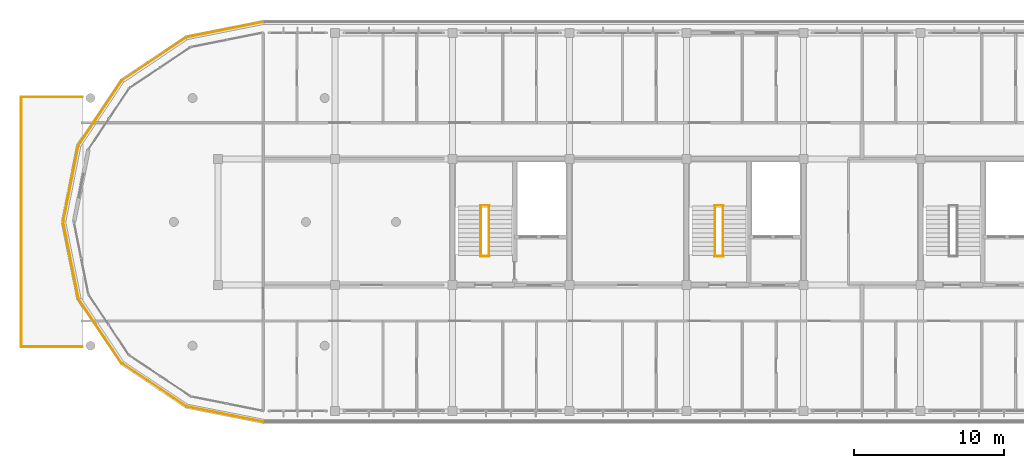
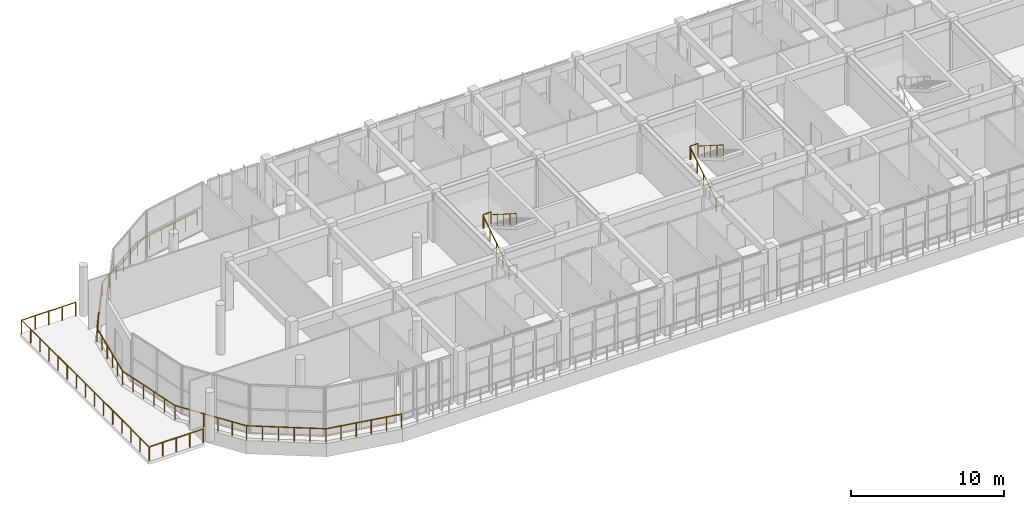
# One storey, part 52 of 56: 19 railings.
"""IFC4 building model written with IfcOpenShell, lengths in metres."""

import ifcopenshell
import ifcopenshell.guid

model = None  # the IFC model being written
_history = None  # IfcOwnerHistory: only IFC2X3 demands one
_inside = {}  # id of a spatial element -> (the spatial element, [elements in it])
_under = {}  # id of a project, library or spatial element -> (it, [spatial elements below it])
_declared = {}  # id of a project -> (the project, [libraries it declares])
_typed = {}  # id of a type object -> (the type object, [elements of that type])
_made_of = {}  # id of a material, layer set ... -> (it, [elements and type objects made of it])


def new_model(schema):
    """Start an empty IFC model of exactly this schema.

    Asked for "IFC4X3", IfcOpenShell would pick the latest addendum, in which some entities
    have other attributes; the version numbers below select the first issue.
    IFC2X3 requires an IfcOwnerHistory on every rooted entity: one is made here for all.
    """
    global model, _history
    if schema == "IFC4X3":
        model = ifcopenshell.file(schema_version=(4, 3, 0, 0))
    else:
        model = ifcopenshell.file(schema=schema)
    _inside.clear()
    _under.clear()
    _declared.clear()
    _typed.clear()
    _made_of.clear()
    _history = None
    if model.schema == "IFC2X3":
        org = make("IfcOrganization", Name="unknown")
        user = make(
            "IfcPersonAndOrganization",
            ThePerson=make("IfcPerson", FamilyName="unknown"),
            TheOrganization=org,
        )
        app = make(
            "IfcApplication",
            ApplicationDeveloper=org,
            Version="unknown",
            ApplicationFullName="unknown",
            ApplicationIdentifier="unknown",
        )
        _history = make(
            "IfcOwnerHistory",
            OwningUser=user,
            OwningApplication=app,
            ChangeAction="ADDED",
            CreationDate=0,
        )
    return model


def make(cls, **values):
    """One entity of the class cls with the attributes given. An attribute that is None is left unset."""
    return model.create_entity(
        cls, **{name: value for name, value in values.items() if value is not None}
    )


def rooted(cls, **values):
    """An entity with a GlobalId (a new one), such as an element, a storey or a relation."""
    return make(cls, GlobalId=ifcopenshell.guid.new(), OwnerHistory=_history, **values)


def si_unit(unit_type, name, prefix=None):
    """IfcSIUnit, for example si_unit("LENGTHUNIT", "METRE", prefix="MILLI")."""
    return make("IfcSIUnit", UnitType=unit_type, Prefix=prefix, Name=name)


def assignment(units):
    """IfcUnitAssignment: the units of a project."""
    return None if units is None else make("IfcUnitAssignment", Units=units)


def point(xyz):
    """IfcCartesianPoint."""
    return None if xyz is None else make("IfcCartesianPoint", Coordinates=xyz)


def direction(xyz):
    """IfcDirection."""
    return None if xyz is None else make("IfcDirection", DirectionRatios=xyz)


def frame(location, z_axis=None, x_axis=None):
    """IfcAxis2Placement3D, a coordinate frame: its origin and axes. An axis left out is left unset."""
    return make(
        "IfcAxis2Placement3D",
        Location=point(location),
        Axis=direction(z_axis),
        RefDirection=direction(x_axis),
    )


def frame_2d(location, x_axis=None):
    """IfcAxis2Placement2D, a coordinate frame in the plane: its origin and x axis."""
    return make(
        "IfcAxis2Placement2D", Location=point(location), RefDirection=direction(x_axis)
    )


def origin():
    """The frame at (0, 0, 0) with its axes left unset."""
    return frame((0.0, 0.0, 0.0))


def origin_2d():
    """The frame at (0, 0) in the plane with its x axis left unset."""
    return frame_2d((0.0, 0.0))


def place(relative_to, where):
    """IfcLocalPlacement: puts the frame where relative to a parent placement (None: the world)."""
    return make(
        "IfcLocalPlacement", PlacementRelTo=relative_to, RelativePlacement=where
    )


def context(
    kind, dimensions, precision=None, world=None, true_north=None, identifier=None
):
    """IfcGeometricRepresentationContext, for example the 3D "Model" context."""
    return make(
        "IfcGeometricRepresentationContext",
        ContextIdentifier=identifier,
        ContextType=kind,
        CoordinateSpaceDimension=dimensions,
        Precision=precision,
        WorldCoordinateSystem=world,
        TrueNorth=true_north,
    )


def subcontext(parent, identifier, kind, view, scale=None):
    """IfcGeometricRepresentationSubContext, for example "Body" below "Model"."""
    return make(
        "IfcGeometricRepresentationSubContext",
        ContextIdentifier=identifier,
        ContextType=kind,
        ParentContext=parent,
        TargetScale=scale,
        TargetView=view,
    )


def project(units=None, contexts=None):
    """IfcProject with its units and contexts."""
    return rooted(
        "IfcProject",
        Name="project",
        RepresentationContexts=contexts,
        UnitsInContext=assignment(units),
    )


def spatial(cls, under=None, at=None, **own):
    """A site, building, storey or space (cls), placed at a placement, below another one or the project."""
    s = rooted(cls, ObjectPlacement=at, **own)
    if under is not None:
        _under.setdefault(under.id(), (under, []))[1].append(s)
    return s


def profile(cls, at=None, kind="AREA", **sizes):
    """A parametric profile (cls). Its sizes go by their IFC names, for example OverallWidth=200.0."""
    return make(cls, ProfileType=kind, Position=at, **sizes)


def circle(**sizes):
    """IfcCircleProfileDef."""
    return profile("IfcCircleProfileDef", **sizes)


def hollow_circle(**sizes):
    """IfcCircleHollowProfileDef."""
    return profile("IfcCircleHollowProfileDef", **sizes)


def extrude(swept, where, along, depth):
    """IfcExtrudedAreaSolid: the profile swept, set in the frame where, extruded along a direction by depth."""
    return make(
        "IfcExtrudedAreaSolid",
        SweptArea=swept,
        Position=where,
        ExtrudedDirection=direction(along),
        Depth=depth,
    )


def shape(context_of_items, identifier, shape_type, items):
    """IfcShapeRepresentation: the items that make up one representation, for example the "Body"."""
    return make(
        "IfcShapeRepresentation",
        ContextOfItems=context_of_items,
        RepresentationIdentifier=identifier,
        RepresentationType=shape_type,
        Items=items,
    )


def material(Name=None, Category=None):
    """IfcMaterial."""
    return make("IfcMaterial", Name=Name, Category=Category)


def material_profile(
    of_material, cross_section, Name=None, Category=None, Priority=None
):
    """IfcMaterialProfile: a cross section and its material."""
    return make(
        "IfcMaterialProfile",
        Name=Name,
        Material=of_material,
        Profile=cross_section,
        Priority=Priority,
        Category=Category,
    )


def profile_set(profiles, Name=None, composite=None):
    """IfcMaterialProfileSet."""
    return make(
        "IfcMaterialProfileSet",
        Name=Name,
        MaterialProfiles=profiles,
        CompositeProfile=composite,
    )


def made_of(thing, what):
    """Note that an element or type object is made of a material, layer set ...; save() writes the relation."""
    if what is not None:
        _made_of.setdefault(what.id(), (what, []))[1].append(thing)
    return thing


def type_object(cls, material=None, **own):
    """A type object (cls), such as IfcWallType, which elements share."""
    return made_of(rooted(cls, **own), material)


def element(
    cls,
    number,
    at=None,
    inside=None,
    cuts=None,
    type_object=None,
    material=None,
    context=None,
    identifier="Body",
    shape_type=None,
    held_by="IfcProductDefinitionShape",
    body=None,
    shapes=None,
    **own,
):
    """One element of the class cls, such as IfcWall. Its Tag is "e" and its number.

    at: its placement. inside: the storey or other place that contains it. cuts: it is an
    opening in that element (IfcRelVoidsElement). A single representation is given by context,
    identifier, shape_type and body (its items); several are given by shapes. held_by: the class
    of the entity that holds the representations. save() writes the other relations.
    """
    e = rooted(cls, Tag="e%d" % number, ObjectPlacement=at, **own)
    if body is not None:
        shapes = [shape(context, identifier, shape_type, body)]
    if shapes is not None:
        e.Representation = make(held_by, Representations=shapes)
    if inside is not None:
        _inside.setdefault(inside.id(), (inside, []))[1].append(e)
    if cuts is not None:
        rooted(
            "IfcRelVoidsElement", RelatingBuildingElement=cuts, RelatedOpeningElement=e
        )
    if type_object is not None:
        _typed.setdefault(type_object.id(), (type_object, []))[1].append(e)
    return made_of(e, material)


def aggregate(whole, parts):
    """IfcRelAggregates: a whole, such as a stair, and the parts it consists of."""
    return rooted("IfcRelAggregates", RelatingObject=whole, RelatedObjects=parts)


def save(model, path):
    """Write the relations noted so far, then the file.

    IfcRelAggregates (storeys below a building ...), IfcRelContainedInSpatialStructure (elements
    in a storey), IfcRelDefinesByType, IfcRelAssociatesMaterial and IfcRelDeclares: one each for
    every whole, place, type object, material and project.
    """
    for whole, parts in _under.values():
        aggregate(whole, parts)
    for where, things in _inside.values():
        rooted(
            "IfcRelContainedInSpatialStructure",
            RelatedElements=things,
            RelatingStructure=where,
        )
    for kind, things in _typed.values():
        rooted("IfcRelDefinesByType", RelatedObjects=things, RelatingType=kind)
    for what, things in _made_of.values():
        rooted("IfcRelAssociatesMaterial", RelatedObjects=things, RelatingMaterial=what)
    for by, libraries in _declared.values():
        rooted("IfcRelDeclares", RelatingContext=by, RelatedDefinitions=libraries)
    model.write(path)


model = new_model("IFC4")

# Units and contexts
model_context = context("Model", 3, precision=1e-05, world=origin(), true_north=direction((0.0, 1.0)))
body_context = subcontext(model_context, "Body", "Model", "MODEL_VIEW")
ifc_project = project(units=[si_unit("LENGTHUNIT", "METRE"), si_unit("AREAUNIT", "SQUARE_METRE"), si_unit("VOLUMEUNIT", "CUBIC_METRE"), si_unit("PLANEANGLEUNIT", "RADIAN"), si_unit("MASSUNIT", "GRAM", prefix="KILO")], contexts=[model_context])

# Site, building, storey
site_placement = place(None, origin())
site = spatial("IfcSite", under=ifc_project, at=site_placement, CompositionType="ELEMENT")
building_placement = place(site_placement, origin())
building = spatial("IfcBuilding", under=site, at=building_placement, Name="Zizhar Promenade General Hospital", CompositionType="ELEMENT")
storey_placement = place(building_placement, frame((0.0, 0.0, 26.39990234375)))
storey = spatial("IfcBuildingStorey", under=building, at=storey_placement, Name="L06", CompositionType="ELEMENT", Elevation=26.39990234375)

# Railings
ifc_material_1 = material(Name="Anodised aluminium 6063-T6", Category="aluminium")
ifc_material_profile_1 = material_profile(ifc_material_1, hollow_circle(Radius=0.06982421875, WallThickness=0.00634765625, at=origin_2d()))
ifc_profile_set_1 = profile_set([ifc_material_profile_1], Name="Anodised aluminium 6063-T6")
railing_type_1 = type_object("IfcRailingType", Name="RL-GUARD-TERR-1100", PredefinedType="GUARDRAIL", material=ifc_profile_set_1)
railing_1_placement = place(storey_placement, frame((34.199951171875, 25.919921875, 0.0)))
element("IfcRailing", 1, at=railing_1_placement, inside=storey, type_object=railing_type_1, Name="Perimeter Safety Guardrail L06-10", PredefinedType="GUARDRAIL", context=body_context, shape_type="SweptSolid", body=[
    extrude(circle(Radius=0.02392578125, at=origin_2d()), frame((0.0, 0.0, 1.09619140625), z_axis=(-0.980784313268, -0.195095184069, 0.0), x_axis=(0.195095184069, -0.980784313268, 0.0)), (0.0, 0.0, 1.0), 5.197021484375),
    extrude(circle(Radius=0.02099609375, at=origin_2d()), origin(), (0.0, 0.0, 1.0), 1.072021484375),
    extrude(circle(Radius=0.02099609375, at=origin_2d()), frame((-1.01953125, -0.202880859375, 0.0)), (0.0, 0.0, 1.0), 1.072021484375),
    extrude(circle(Radius=0.02099609375, at=origin_2d()), frame((-2.038818359375, -0.405517578125, 0.0)), (0.0, 0.0, 1.0), 1.072021484375),
    extrude(circle(Radius=0.02099609375, at=origin_2d()), frame((-3.058349609375, -0.6083984375, 0.0)), (0.0, 0.0, 1.0), 1.072021484375),
    extrude(circle(Radius=0.02099609375, at=origin_2d()), frame((-4.07763671875, -0.81103515625, 0.0)), (0.0, 0.0, 1.0), 1.072021484375),
    extrude(circle(Radius=0.02099609375, at=origin_2d()), frame((-5.09716796875, -1.013916015625, 0.0)), (0.0, 0.0, 1.0), 1.072021484375),
])
railing_2_placement = place(storey_placement, frame((29.102783203125, 24.906005859375, 0.0)))
element("IfcRailing", 2, at=railing_2_placement, inside=storey, type_object=railing_type_1, Name="Perimeter Safety Guardrail L06-11", PredefinedType="GUARDRAIL", context=body_context, shape_type="SweptSolid", body=[
    extrude(circle(Radius=0.02392578125, at=origin_2d()), frame((0.0, 0.0, 1.09619140625), z_axis=(-0.831500642835, -0.555523789739, 0.0), x_axis=(0.555523789739, -0.831500642835, 0.0)), (0.0, 0.0, 1.0), 5.197265625),
    extrude(circle(Radius=0.02099609375, at=origin_2d()), origin(), (0.0, 0.0, 1.0), 1.072021484375),
    extrude(circle(Radius=0.02099609375, at=origin_2d()), frame((-0.8642578125, -0.577392578125, 0.0)), (0.0, 0.0, 1.0), 1.072021484375),
    extrude(circle(Radius=0.02099609375, at=origin_2d()), frame((-1.728515625, -1.15478515625, 0.0)), (0.0, 0.0, 1.0), 1.072021484375),
    extrude(circle(Radius=0.02099609375, at=origin_2d()), frame((-2.593017578125, -1.732421875, 0.0)), (0.0, 0.0, 1.0), 1.072021484375),
    extrude(circle(Radius=0.02099609375, at=origin_2d()), frame((-3.457275390625, -2.309814453125, 0.0)), (0.0, 0.0, 1.0), 1.072021484375),
    extrude(circle(Radius=0.02099609375, at=origin_2d()), frame((-4.321533203125, -2.88720703125, 0.0)), (0.0, 0.0, 1.0), 1.072021484375),
])
railing_3_placement = place(storey_placement, frame((24.78125, 22.018798828125, 0.0)))
element("IfcRailing", 3, at=railing_3_placement, inside=storey, type_object=railing_type_1, Name="Perimeter Safety Guardrail L06-12", PredefinedType="GUARDRAIL", context=body_context, shape_type="SweptSolid", body=[
    extrude(circle(Radius=0.02392578125, at=origin_2d()), frame((0.0, 0.0, 1.09619140625), z_axis=(-0.555556266519, -0.83147894425, 0.0), x_axis=(0.83147894425, -0.555556266519, 0.0)), (0.0, 0.0, 1.0), 5.197509765625),
    extrude(circle(Radius=0.02099609375, at=origin_2d()), origin(), (0.0, 0.0, 1.0), 1.072021484375),
    extrude(circle(Radius=0.02099609375, at=origin_2d()), frame((-0.577392578125, -0.8642578125, 0.0)), (0.0, 0.0, 1.0), 1.072021484375),
    extrude(circle(Radius=0.02099609375, at=origin_2d()), frame((-1.155029296875, -1.728515625, 0.0)), (0.0, 0.0, 1.0), 1.072021484375),
    extrude(circle(Radius=0.02099609375, at=origin_2d()), frame((-1.732421875, -2.593017578125, 0.0)), (0.0, 0.0, 1.0), 1.072021484375),
    extrude(circle(Radius=0.02099609375, at=origin_2d()), frame((-2.31005859375, -3.457275390625, 0.0)), (0.0, 0.0, 1.0), 1.072021484375),
    extrude(circle(Radius=0.02099609375, at=origin_2d()), frame((-2.887451171875, -4.321533203125, 0.0)), (0.0, 0.0, 1.0), 1.072021484375),
])
railing_4_placement = place(storey_placement, frame((21.893798828125, 17.697265625, 0.0)))
element("IfcRailing", 4, at=railing_4_placement, inside=storey, type_object=railing_type_1, Name="Perimeter Safety Guardrail L06-13", PredefinedType="GUARDRAIL", context=body_context, shape_type="SweptSolid", body=[
    extrude(circle(Radius=0.02392578125, at=origin_2d()), frame((0.0, 0.0, 1.09619140625), z_axis=(-0.195095184069, -0.980784313268, 0.0), x_axis=(0.980784313268, -0.195095184069, 0.0)), (0.0, 0.0, 1.0), 5.197021484375),
    extrude(circle(Radius=0.02099609375, at=origin_2d()), origin(), (0.0, 0.0, 1.0), 1.072021484375),
    extrude(circle(Radius=0.02099609375, at=origin_2d()), frame((-0.202880859375, -1.01953125, 0.0)), (0.0, 0.0, 1.0), 1.072021484375),
    extrude(circle(Radius=0.02099609375, at=origin_2d()), frame((-0.405517578125, -2.038818359375, 0.0)), (0.0, 0.0, 1.0), 1.072021484375),
    extrude(circle(Radius=0.02099609375, at=origin_2d()), frame((-0.6083984375, -3.058349609375, 0.0)), (0.0, 0.0, 1.0), 1.072021484375),
    extrude(circle(Radius=0.02099609375, at=origin_2d()), frame((-0.81103515625, -4.07763671875, 0.0)), (0.0, 0.0, 1.0), 1.072021484375),
    extrude(circle(Radius=0.02099609375, at=origin_2d()), frame((-1.013916015625, -5.09716796875, 0.0)), (0.0, 0.0, 1.0), 1.072021484375),
])
railing_5_placement = place(storey_placement, frame((20.8798828125, 12.60009765625, 0.0)))
element("IfcRailing", 5, at=railing_5_placement, inside=storey, type_object=railing_type_1, Name="Perimeter Safety Guardrail L06-14", PredefinedType="GUARDRAIL", context=body_context, shape_type="SweptSolid", body=[
    extrude(circle(Radius=0.02392578125, at=origin_2d()), frame((0.0, 0.0, 1.09619140625), z_axis=(0.195086195614, -0.980786101187, 0.0), x_axis=(0.980786101187, 0.195086195614, 0.0)), (0.0, 0.0, 1.0), 5.197265625),
    extrude(circle(Radius=0.02099609375, at=origin_2d()), origin(), (0.0, 0.0, 1.0), 1.072021484375),
    extrude(circle(Radius=0.02099609375, at=origin_2d()), frame((0.202880859375, -1.01953125, 0.0)), (0.0, 0.0, 1.0), 1.072021484375),
    extrude(circle(Radius=0.02099609375, at=origin_2d()), frame((0.405517578125, -2.0390625, 0.0)), (0.0, 0.0, 1.0), 1.072021484375),
    extrude(circle(Radius=0.02099609375, at=origin_2d()), frame((0.6083984375, -3.058349609375, 0.0)), (0.0, 0.0, 1.0), 1.072021484375),
    extrude(circle(Radius=0.02099609375, at=origin_2d()), frame((0.81103515625, -4.077880859375, 0.0)), (0.0, 0.0, 1.0), 1.072021484375),
    extrude(circle(Radius=0.02099609375, at=origin_2d()), frame((1.013916015625, -5.097412109375, 0.0)), (0.0, 0.0, 1.0), 1.072021484375),
])
railing_6_placement = place(storey_placement, frame((21.893798828125, 7.502685546875, 0.0)))
element("IfcRailing", 6, at=railing_6_placement, inside=storey, type_object=railing_type_1, Name="Perimeter Safety Guardrail L06-15", PredefinedType="GUARDRAIL", context=body_context, shape_type="SweptSolid", body=[
    extrude(circle(Radius=0.02392578125, at=origin_2d()), frame((0.0, 0.0, 1.09619140625), z_axis=(0.555577965829, -0.831464445352, 0.0), x_axis=(0.831464445352, 0.555577965829, 0.0)), (0.0, 0.0, 1.0), 5.197265625),
    extrude(circle(Radius=0.02099609375, at=origin_2d()), origin(), (0.0, 0.0, 1.0), 1.072021484375),
    extrude(circle(Radius=0.02099609375, at=origin_2d()), frame((0.577392578125, -0.8642578125, 0.0)), (0.0, 0.0, 1.0), 1.072021484375),
    extrude(circle(Radius=0.02099609375, at=origin_2d()), frame((1.155029296875, -1.728515625, 0.0)), (0.0, 0.0, 1.0), 1.072021484375),
    extrude(circle(Radius=0.02099609375, at=origin_2d()), frame((1.732421875, -2.5927734375, 0.0)), (0.0, 0.0, 1.0), 1.072021484375),
    extrude(circle(Radius=0.02099609375, at=origin_2d()), frame((2.31005859375, -3.45703125, 0.0)), (0.0, 0.0, 1.0), 1.072021484375),
    extrude(circle(Radius=0.02099609375, at=origin_2d()), frame((2.887451171875, -4.3212890625, 0.0)), (0.0, 0.0, 1.0), 1.072021484375),
])
railing_7_placement = place(storey_placement, frame((24.78125, 3.181396484375, 0.0)))
element("IfcRailing", 7, at=railing_7_placement, inside=storey, type_object=railing_type_1, Name="Perimeter Safety Guardrail L06-16", PredefinedType="GUARDRAIL", context=body_context, shape_type="SweptSolid", body=[
    extrude(circle(Radius=0.02392578125, at=origin_2d()), frame((0.0, 0.0, 1.09619140625), z_axis=(0.83147894425, -0.555556266519, 0.0), x_axis=(0.555556266519, 0.83147894425, 0.0)), (0.0, 0.0, 1.0), 5.197509765625),
    extrude(circle(Radius=0.02099609375, at=origin_2d()), origin(), (0.0, 0.0, 1.0), 1.072021484375),
    extrude(circle(Radius=0.02099609375, at=origin_2d()), frame((0.8642578125, -0.577392578125, 0.0)), (0.0, 0.0, 1.0), 1.072021484375),
    extrude(circle(Radius=0.02099609375, at=origin_2d()), frame((1.728515625, -1.155029296875, 0.0)), (0.0, 0.0, 1.0), 1.072021484375),
    extrude(circle(Radius=0.02099609375, at=origin_2d()), frame((2.593017578125, -1.732421875, 0.0)), (0.0, 0.0, 1.0), 1.072021484375),
    extrude(circle(Radius=0.02099609375, at=origin_2d()), frame((3.457275390625, -2.31005859375, 0.0)), (0.0, 0.0, 1.0), 1.072021484375),
    extrude(circle(Radius=0.02099609375, at=origin_2d()), frame((4.321533203125, -2.887451171875, 0.0)), (0.0, 0.0, 1.0), 1.072021484375),
])
railing_8_placement = place(storey_placement, frame((29.102783203125, 0.2939453125, 0.0)))
element("IfcRailing", 8, at=railing_8_placement, inside=storey, type_object=railing_type_1, Name="Perimeter Safety Guardrail L06-17", PredefinedType="GUARDRAIL", context=body_context, shape_type="SweptSolid", body=[
    extrude(circle(Radius=0.02392578125, at=origin_2d()), frame((0.0, 0.0, 1.09619140625), z_axis=(0.980784313268, -0.195095184069, 0.0), x_axis=(0.195095184069, 0.980784313268, 0.0)), (0.0, 0.0, 1.0), 5.197021484375),
    extrude(circle(Radius=0.02099609375, at=origin_2d()), origin(), (0.0, 0.0, 1.0), 1.072021484375),
    extrude(circle(Radius=0.02099609375, at=origin_2d()), frame((1.01953125, -0.202880859375, 0.0)), (0.0, 0.0, 1.0), 1.072021484375),
    extrude(circle(Radius=0.02099609375, at=origin_2d()), frame((2.038818359375, -0.405517578125, 0.0)), (0.0, 0.0, 1.0), 1.072021484375),
    extrude(circle(Radius=0.02099609375, at=origin_2d()), frame((3.058349609375, -0.6083984375, 0.0)), (0.0, 0.0, 1.0), 1.072021484375),
    extrude(circle(Radius=0.02099609375, at=origin_2d()), frame((4.07763671875, -0.81103515625, 0.0)), (0.0, 0.0, 1.0), 1.072021484375),
    extrude(circle(Radius=0.02099609375, at=origin_2d()), frame((5.09716796875, -1.013916015625, 0.0)), (0.0, 0.0, 1.0), 1.072021484375),
])
railing_9_placement = place(storey_placement, frame((22.14990234375, 4.280029296875, 0.0)))
element("IfcRailing", 9, at=railing_9_placement, inside=storey, type_object=railing_type_1, Name="Perimeter Safety Guardrail L06-01", PredefinedType="GUARDRAIL", context=body_context, shape_type="SweptSolid", body=[
    extrude(circle(Radius=0.02392578125, at=origin_2d()), frame((0.0, 0.0, 1.09619140625), z_axis=(-1.0, 0.0, 0.0), x_axis=(0.0, -1.0, 0.0)), (0.0, 0.0, 1.0), 4.06982421875),
    extrude(circle(Radius=0.02099609375, at=origin_2d()), origin(), (0.0, 0.0, 1.0), 1.072021484375),
    extrude(circle(Radius=0.02099609375, at=origin_2d()), frame((-1.017578125, 0.0, 0.0)), (0.0, 0.0, 1.0), 1.072021484375),
    extrude(circle(Radius=0.02099609375, at=origin_2d()), frame((-2.034912109375, 0.0, 0.0)), (0.0, 0.0, 1.0), 1.072021484375),
    extrude(circle(Radius=0.02099609375, at=origin_2d()), frame((-3.05224609375, 0.0, 0.0)), (0.0, 0.0, 1.0), 1.072021484375),
    extrude(circle(Radius=0.02099609375, at=origin_2d()), frame((-4.06982421875, 0.0, 0.0)), (0.0, 0.0, 1.0), 1.072021484375),
])
railing_10_placement = place(storey_placement, frame((18.080078125, 4.280029296875, 0.0)))
element("IfcRailing", 10, at=railing_10_placement, inside=storey, type_object=railing_type_1, Name="Perimeter Safety Guardrail L06-02", PredefinedType="GUARDRAIL", context=body_context, shape_type="SweptSolid", body=[
    extrude(circle(Radius=0.02392578125, at=origin_2d()), frame((0.0, 0.0, 1.09619140625), z_axis=(0.0, 1.0, 0.0), x_axis=(-1.0, 0.0, 0.0)), (0.0, 0.0, 1.0), 16.639892578125),
    extrude(circle(Radius=0.02099609375, at=origin_2d()), origin(), (0.0, 0.0, 1.0), 1.072021484375),
    extrude(circle(Radius=0.02099609375, at=origin_2d()), frame((0.0, 1.1884765625, 0.0)), (0.0, 0.0, 1.0), 1.072021484375),
    extrude(circle(Radius=0.02099609375, at=origin_2d()), frame((0.0, 2.377197265625, 0.0)), (0.0, 0.0, 1.0), 1.072021484375),
    extrude(circle(Radius=0.02099609375, at=origin_2d()), frame((0.0, 3.565673828125, 0.0)), (0.0, 0.0, 1.0), 1.072021484375),
    extrude(circle(Radius=0.02099609375, at=origin_2d()), frame((0.0, 4.754150390625, 0.0)), (0.0, 0.0, 1.0), 1.072021484375),
    extrude(circle(Radius=0.02099609375, at=origin_2d()), frame((0.0, 5.94287109375, 0.0)), (0.0, 0.0, 1.0), 1.072021484375),
    extrude(circle(Radius=0.02099609375, at=origin_2d()), frame((0.0, 7.13134765625, 0.0)), (0.0, 0.0, 1.0), 1.072021484375),
    extrude(circle(Radius=0.02099609375, at=origin_2d()), frame((0.0, 8.31982421875, 0.0)), (0.0, 0.0, 1.0), 1.072021484375),
    extrude(circle(Radius=0.02099609375, at=origin_2d()), frame((0.0, 9.508544921875, 0.0)), (0.0, 0.0, 1.0), 1.072021484375),
    extrude(circle(Radius=0.02099609375, at=origin_2d()), frame((0.0, 10.697021484375, 0.0)), (0.0, 0.0, 1.0), 1.072021484375),
    extrude(circle(Radius=0.02099609375, at=origin_2d()), frame((0.0, 11.8857421875, 0.0)), (0.0, 0.0, 1.0), 1.072021484375),
    extrude(circle(Radius=0.02099609375, at=origin_2d()), frame((0.0, 13.07421875, 0.0)), (0.0, 0.0, 1.0), 1.072021484375),
    extrude(circle(Radius=0.02099609375, at=origin_2d()), frame((0.0, 14.2626953125, 0.0)), (0.0, 0.0, 1.0), 1.072021484375),
    extrude(circle(Radius=0.02099609375, at=origin_2d()), frame((0.0, 15.451416015625, 0.0)), (0.0, 0.0, 1.0), 1.072021484375),
    extrude(circle(Radius=0.02099609375, at=origin_2d()), frame((0.0, 16.639892578125, 0.0)), (0.0, 0.0, 1.0), 1.072021484375),
])
railing_11_placement = place(storey_placement, frame((18.080078125, 20.919921875, 0.0)))
element("IfcRailing", 11, at=railing_11_placement, inside=storey, type_object=railing_type_1, Name="Perimeter Safety Guardrail L06-03", PredefinedType="GUARDRAIL", context=body_context, shape_type="SweptSolid", body=[
    extrude(circle(Radius=0.02392578125, at=origin_2d()), frame((0.0, 0.0, 1.09619140625), z_axis=(1.0, 0.0, 0.0), x_axis=(0.0, 1.0, 0.0)), (0.0, 0.0, 1.0), 4.06982421875),
    extrude(circle(Radius=0.02099609375, at=origin_2d()), origin(), (0.0, 0.0, 1.0), 1.072021484375),
    extrude(circle(Radius=0.02099609375, at=origin_2d()), frame((1.017578125, 0.0, 0.0)), (0.0, 0.0, 1.0), 1.072021484375),
    extrude(circle(Radius=0.02099609375, at=origin_2d()), frame((2.034912109375, 0.0, 0.0)), (0.0, 0.0, 1.0), 1.072021484375),
    extrude(circle(Radius=0.02099609375, at=origin_2d()), frame((3.05224609375, 0.0, 0.0)), (0.0, 0.0, 1.0), 1.072021484375),
    extrude(circle(Radius=0.02099609375, at=origin_2d()), frame((4.06982421875, 0.0, 0.0)), (0.0, 0.0, 1.0), 1.072021484375),
])
ifc_material_2 = material(Name="Anodised aluminium 6063-T6", Category="aluminium")
ifc_material_profile_2 = material_profile(ifc_material_2, hollow_circle(Radius=0.06982421875, WallThickness=0.00634765625, at=origin_2d()))
ifc_profile_set_2 = profile_set([ifc_material_profile_2], Name="Anodised aluminium 6063-T6")
railing_type_2 = type_object("IfcRailingType", Name="RL-HANDRAIL-920", PredefinedType="HANDRAIL", material=ifc_profile_set_2)
railing_12_placement = place(storey_placement, frame((48.699951171875, 10.35009765625, 0.0)))
element("IfcRailing", 12, at=railing_12_placement, inside=storey, type_object=railing_type_2, Name="Stair ST-02 Flight 1 Handrail (L06)", PredefinedType="HANDRAIL", context=body_context, shape_type="SweptSolid", body=[
    extrude(circle(Radius=0.02392578125, at=origin_2d()), frame((0.0, 0.0, 0.89599609375), z_axis=(0.0, 0.843635785416, 0.536915879413), x_axis=(-1.0, 0.0, 0.0)), (0.0, 0.0, 1.0), 3.911376953125),
    extrude(circle(Radius=0.02099609375, at=origin_2d()), origin(), (0.0, 0.0, 1.0), 0.871826171875),
    extrude(circle(Radius=0.02099609375, at=origin_2d()), frame((0.0, 0.824951171875, 0.52490234375)), (0.0, 0.0, 1.0), 0.871826171875),
    extrude(circle(Radius=0.02099609375, at=origin_2d()), frame((0.0, 1.64990234375, 1.050048828125)), (0.0, 0.0, 1.0), 0.871826171875),
    extrude(circle(Radius=0.02099609375, at=origin_2d()), frame((0.0, 2.474853515625, 1.5751953125)), (0.0, 0.0, 1.0), 0.871826171875),
    extrude(circle(Radius=0.02099609375, at=origin_2d()), frame((0.0, 3.2998046875, 2.10009765625)), (0.0, 0.0, 1.0), 0.871826171875),
])
railing_13_placement = place(storey_placement, frame((49.239990234375, 13.64990234375, 2.10009765625)))
element("IfcRailing", 13, at=railing_13_placement, inside=storey, type_object=railing_type_2, Name="Stair ST-02 Flight 2 Handrail (L06)", PredefinedType="HANDRAIL", context=body_context, shape_type="SweptSolid", body=[
    extrude(circle(Radius=0.02392578125, at=origin_2d()), frame((0.0, 0.0, 0.89599609375), z_axis=(0.0, -0.843635785416, 0.536915879413), x_axis=(1.0, 0.0, 0.0)), (0.0, 0.0, 1.0), 3.911376953125),
    extrude(circle(Radius=0.02099609375, at=origin_2d()), origin(), (0.0, 0.0, 1.0), 0.871826171875),
    extrude(circle(Radius=0.02099609375, at=origin_2d()), frame((0.0, -0.824951171875, 0.52490234375)), (0.0, 0.0, 1.0), 0.871826171875),
    extrude(circle(Radius=0.02099609375, at=origin_2d()), frame((0.0, -1.64990234375, 1.050048828125)), (0.0, 0.0, 1.0), 0.871826171875),
    extrude(circle(Radius=0.02099609375, at=origin_2d()), frame((0.0, -2.474853515625, 1.5751953125)), (0.0, 0.0, 1.0), 0.871826171875),
    extrude(circle(Radius=0.02099609375, at=origin_2d()), frame((0.0, -3.2998046875, 2.10009765625)), (0.0, 0.0, 1.0), 0.871826171875),
])
railing_14_placement = place(storey_placement, frame((64.300048828125, 10.35009765625, 0.0)))
element("IfcRailing", 14, at=railing_14_placement, inside=storey, type_object=railing_type_2, Name="Stair ST-03 Flight 1 Handrail (L06)", PredefinedType="HANDRAIL", context=body_context, shape_type="SweptSolid", body=[
    extrude(circle(Radius=0.02392578125, at=origin_2d()), frame((0.0, 0.0, 0.89599609375), z_axis=(0.0, 0.843635785416, 0.536915879413), x_axis=(-1.0, 0.0, 0.0)), (0.0, 0.0, 1.0), 3.911376953125),
    extrude(circle(Radius=0.02099609375, at=origin_2d()), origin(), (0.0, 0.0, 1.0), 0.871826171875),
    extrude(circle(Radius=0.02099609375, at=origin_2d()), frame((0.0, 0.824951171875, 0.52490234375)), (0.0, 0.0, 1.0), 0.871826171875),
    extrude(circle(Radius=0.02099609375, at=origin_2d()), frame((0.0, 1.64990234375, 1.050048828125)), (0.0, 0.0, 1.0), 0.871826171875),
    extrude(circle(Radius=0.02099609375, at=origin_2d()), frame((0.0, 2.474853515625, 1.5751953125)), (0.0, 0.0, 1.0), 0.871826171875),
    extrude(circle(Radius=0.02099609375, at=origin_2d()), frame((0.0, 3.2998046875, 2.10009765625)), (0.0, 0.0, 1.0), 0.871826171875),
])
railing_15_placement = place(storey_placement, frame((64.840087890625, 13.64990234375, 2.10009765625)))
element("IfcRailing", 15, at=railing_15_placement, inside=storey, type_object=railing_type_2, Name="Stair ST-03 Flight 2 Handrail (L06)", PredefinedType="HANDRAIL", context=body_context, shape_type="SweptSolid", body=[
    extrude(circle(Radius=0.02392578125, at=origin_2d()), frame((0.0, 0.0, 0.89599609375), z_axis=(0.0, -0.843635785416, 0.536915879413), x_axis=(1.0, 0.0, 0.0)), (0.0, 0.0, 1.0), 3.911376953125),
    extrude(circle(Radius=0.02099609375, at=origin_2d()), origin(), (0.0, 0.0, 1.0), 0.871826171875),
    extrude(circle(Radius=0.02099609375, at=origin_2d()), frame((0.0, -0.824951171875, 0.52490234375)), (0.0, 0.0, 1.0), 0.871826171875),
    extrude(circle(Radius=0.02099609375, at=origin_2d()), frame((0.0, -1.64990234375, 1.050048828125)), (0.0, 0.0, 1.0), 0.871826171875),
    extrude(circle(Radius=0.02099609375, at=origin_2d()), frame((0.0, -2.474853515625, 1.5751953125)), (0.0, 0.0, 1.0), 0.871826171875),
    extrude(circle(Radius=0.02099609375, at=origin_2d()), frame((0.0, -3.2998046875, 2.10009765625)), (0.0, 0.0, 1.0), 0.871826171875),
])
ifc_material_3 = material(Name="Steel S355", Category="steel")
ifc_material_profile_3 = material_profile(ifc_material_3, hollow_circle(Radius=0.06982421875, WallThickness=0.00634765625, at=origin_2d()))
ifc_profile_set_3 = profile_set([ifc_material_profile_3], Name="Steel S355")
railing_type_3 = type_object("IfcRailingType", Name="RL-STAIR-GUARD-1100", PredefinedType="GUARDRAIL", material=ifc_profile_set_3)
for number, where, name in (
    (16, (48.679931640625, 13.68994140625, 2.10009765625), "Stair ST-02 Half-Landing Guard (L06)"),
    (17, (48.679931640625, 10.31005859375, 0.0), "Stair ST-02 Landing Well Guard (L06)"),
    (18, (64.280029296875, 13.68994140625, 2.10009765625), "Stair ST-03 Half-Landing Guard (L06)"),
    (19, (64.280029296875, 10.31005859375, 0.0), "Stair ST-03 Landing Well Guard (L06)"),
):
    element("IfcRailing", number, at=place(storey_placement, frame(where)), inside=storey, type_object=railing_type_3, Name=name, PredefinedType="GUARDRAIL", context=body_context, shape_type="SweptSolid", body=[
        extrude(circle(Radius=0.02392578125, at=origin_2d()), frame((0.0, 0.0, 1.076171875), z_axis=(1.0, 0.0, 0.0), x_axis=(0.0, 1.0, 0.0)), (0.0, 0.0, 1.0), 0.580078125),
        extrude(circle(Radius=0.02099609375, at=origin_2d()), origin(), (0.0, 0.0, 1.0), 1.052001953125),
        extrude(circle(Radius=0.02099609375, at=origin_2d()), frame((0.580078125, 0.0, 0.0)), (0.0, 0.0, 1.0), 1.052001953125),
    ])

save(model, "model.ifc")
